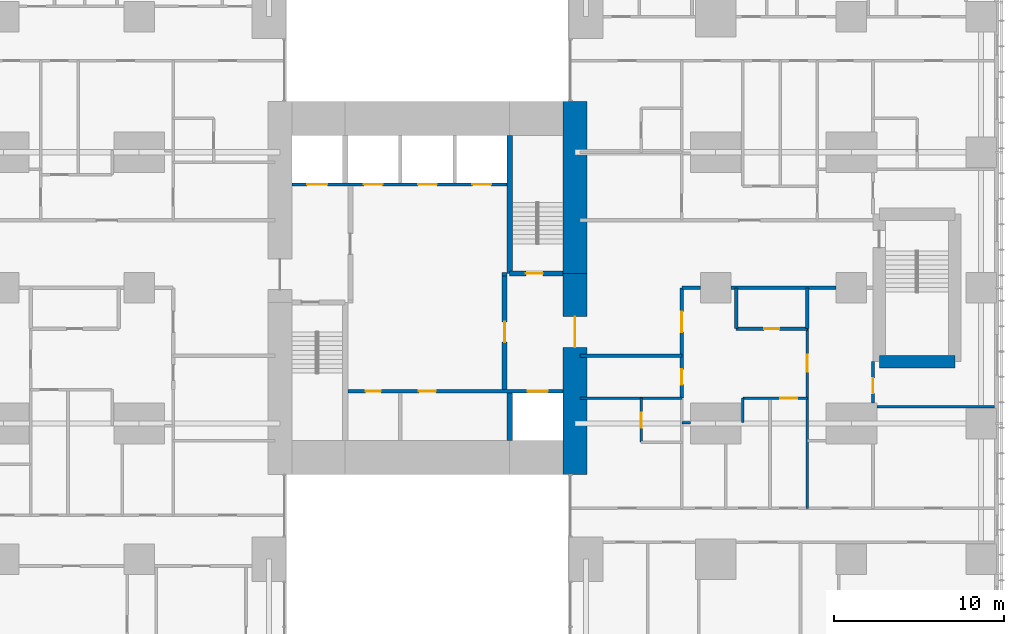
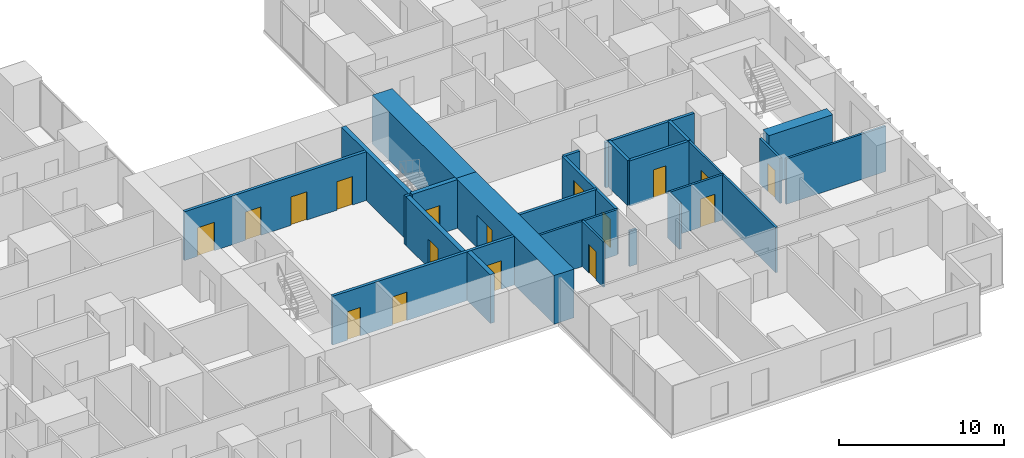
# One storey, part 15 of 20: 25 walls, 17 doors, 17 openings.
"""IFC4 building model written with IfcOpenShell, lengths in metres."""

from ifc_helpers import new_model, si_unit, direction, frame, frame_2d, origin, place, context, subcontext, project, spatial, rectangle, extrude, material, layer, layer_set, type_object, element, fill, save


model = new_model("IFC4")

# Units and contexts
model_context = context("Model", 3, precision=1e-05, world=origin(), true_north=direction((0.0, 1.0)))
body_context = subcontext(model_context, "Body", "Model", "MODEL_VIEW")
ifc_project = project(units=[si_unit("LENGTHUNIT", "METRE"), si_unit("AREAUNIT", "SQUARE_METRE"), si_unit("VOLUMEUNIT", "CUBIC_METRE"), si_unit("PLANEANGLEUNIT", "RADIAN"), si_unit("MASSUNIT", "GRAM", prefix="KILO")], contexts=[model_context])

# Site, building, storey
site_placement = place(None, origin())
site = spatial("IfcSite", under=ifc_project, at=site_placement, CompositionType="ELEMENT")
building_placement = place(site_placement, origin())
building = spatial("IfcBuilding", under=site, at=building_placement, Name="Cleftline Residences", CompositionType="ELEMENT")
storey_placement = place(building_placement, frame((0.0, 0.0, 214.60009765625)))
storey = spatial("IfcBuildingStorey", under=building, at=storey_placement, Name="L56", CompositionType="ELEMENT", Elevation=214.60009765625)

# Wall, opening, door
ifc_material_1 = material(Name="Concrete B70", Category="concrete")
ifc_layer_1 = layer(ifc_material_1, 1.39990234375)
ifc_layer_set_1 = layer_set([ifc_layer_1], Name="CORE WALL 1400")
wall_type_1 = type_object("IfcWallType", Name="CORE WALL 1400", PredefinedType="SHEAR", material=ifc_layer_set_1)
wall_1_placement = place(storey_placement, frame((41.699951171875, 13.0, 0.0), z_axis=(0.0, 0.0, 1.0), x_axis=(0.0, 1.0, 0.0)))
wall_1 = element("IfcWall", 1, at=wall_1_placement, inside=storey, type_object=wall_type_1, Name="Core wall E", PredefinedType="SHEAR", context=body_context, shape_type="SweptSolid", body=[
    extrude(rectangle(XDim=11.85009765625, YDim=1.39990234375, at=frame_2d((5.925048828125, 0.0))), origin(), (0.0, 0.0, 1.0), 3.599853515625),
])
opening_1_placement = place(wall_1_placement, frame((7.5, 0.0, 0.0)))
opening_1 = element("IfcOpeningElement", 2, at=opening_1_placement, cuts=wall_1, Name="Opening D7", PredefinedType="OPENING", context=body_context, shape_type="SweptSolid", body=[
    extrude(rectangle(XDim=1.800048828125, YDim=2.39990234375, at=frame_2d((0.89990234375, 1.199951171875))), frame((0.0, 0.7099609375, 0.0), z_axis=(0.0, -1.0, 0.0), x_axis=(1.0, 0.0, 0.0)), (0.0, 0.0, 1.0), 1.419921875),
])
ifc_material_2 = material(Name="Steel", Category="steel")
door_type_1 = type_object("IfcDoorType", Name="WING DOOR 1800X2400", OperationType="DOUBLE_DOOR_DOUBLE_SWING", PredefinedType="DOOR", material=ifc_material_2)
door_1_placement = place(opening_1_placement, origin())
door_1 = element("IfcDoor", 3, at=door_1_placement, inside=storey, type_object=door_type_1, Name="East wing door", OperationType="DOUBLE_DOOR_DOUBLE_SWING", OverallHeight=2.39990234375, OverallWidth=1.800048828125, PredefinedType="DOOR", context=body_context, shape_type="SweptSolid", body=[
    extrude(rectangle(XDim=1.800048828125, YDim=2.39990234375, at=frame_2d((0.89990234375, 1.199951171875))), frame((0.0, 0.02490234375, 0.0), z_axis=(0.0, -1.0, 0.0), x_axis=(1.0, 0.0, 0.0)), (0.0, 0.0, 1.0), 0.050048828125),
])
fill(opening_1, door_1)

# Walls
wall_2_placement = place(storey_placement, frame((41.699951171875, 24.85009765625, 0.0), z_axis=(0.0, 0.0, 1.0), x_axis=(0.0, 1.0, 0.0)))
element("IfcWall", 4, at=wall_2_placement, inside=storey, type_object=wall_type_1, Name="Core wall E1", PredefinedType="SHEAR", context=body_context, shape_type="SweptSolid", body=[
    extrude(rectangle(XDim=10.14990234375, YDim=1.39990234375, at=frame_2d((5.074951171875, 0.0))), origin(), (0.0, 0.0, 1.0), 3.599853515625),
])
ifc_material_3 = material(Name="Concrete B70", Category="concrete")
ifc_layer_2 = layer(ifc_material_3, 0.300048828125)
ifc_layer_set_2 = layer_set([ifc_layer_2], Name="CORE WALL 300")
wall_type_2 = type_object("IfcWallType", Name="CORE WALL 300", PredefinedType="SHEAR", material=ifc_layer_set_2)
wall_3_placement = place(storey_placement, frame((37.85009765625, 24.85009765625, 0.0), z_axis=(0.0, 0.0, 1.0), x_axis=(0.0, 1.0, 0.0)))
element("IfcWall", 5, at=wall_3_placement, inside=storey, type_object=wall_type_2, Name="Core wall SB-W", PredefinedType="SHEAR", context=body_context, shape_type="SweptSolid", body=[
    extrude(rectangle(XDim=8.14990234375, YDim=0.300048828125, at=frame_2d((4.074951171875, 0.0))), origin(), (0.0, 0.0, 1.0), 3.599853515625),
])

# Wall, opening, door
wall_4_placement = place(storey_placement, frame((37.85009765625, 24.85009765625, 0.0), z_axis=(0.0, 0.0, 1.0), x_axis=(1.0, 0.0, 0.0)))
wall_4 = element("IfcWall", 6, at=wall_4_placement, inside=storey, type_object=wall_type_2, Name="Core wall SB-S", PredefinedType="SHEAR", context=body_context, shape_type="SweptSolid", body=[
    extrude(rectangle(XDim=3.14990234375, YDim=0.300048828125, at=frame_2d((1.574951171875, 0.0))), origin(), (0.0, 0.0, 1.0), 3.599853515625),
])
opening_2_placement = place(wall_4_placement, frame((0.949951171875, 0.0, 0.0)))
opening_2 = element("IfcOpeningElement", 7, at=opening_2_placement, cuts=wall_4, Name="Opening D5", PredefinedType="OPENING", context=body_context, shape_type="SweptSolid", body=[
    extrude(rectangle(XDim=1.0, YDim=2.10009765625, at=frame_2d((0.5, 1.050048828125))), frame((0.0, 0.159912109375, 0.0), z_axis=(0.0, -1.0, 0.0), x_axis=(1.0, 0.0, 0.0)), (0.0, 0.0, 1.0), 0.320068359375),
])
ifc_material_4 = material(Name="Steel", Category="steel")
door_type_2 = type_object("IfcDoorType", Name="STAIR DOOR 1000X2100", OperationType="SINGLE_SWING_LEFT", PredefinedType="DOOR", material=ifc_material_4)
door_2_placement = place(opening_2_placement, origin())
door_2 = element("IfcDoor", 8, at=door_2_placement, inside=storey, type_object=door_type_2, Name="Stair B door", OperationType="SINGLE_SWING_RIGHT", OverallHeight=2.10009765625, OverallWidth=1.0, PredefinedType="DOOR", context=body_context, shape_type="SweptSolid", body=[
    extrude(rectangle(XDim=1.0, YDim=2.10009765625, at=frame_2d((0.5, 1.050048828125))), frame((0.0, 0.02490234375, 0.0), z_axis=(0.0, -1.0, 0.0), x_axis=(1.0, 0.0, 0.0)), (0.0, 0.0, 1.0), 0.050048828125),
])
fill(opening_2, door_2)

# Walls
wall_5_placement = place(storey_placement, frame((37.85009765625, 15.0, 0.0), z_axis=(0.0, 0.0, 1.0), x_axis=(0.0, 1.0, 0.0)))
element("IfcWall", 9, at=wall_5_placement, inside=storey, type_object=wall_type_2, Name="Lift shaft wall", PredefinedType="SHEAR", context=body_context, shape_type="SweptSolid", body=[
    extrude(rectangle(XDim=2.800048828125, YDim=0.300048828125, at=frame_2d((1.39990234375, 0.0))), origin(), (0.0, 0.0, 1.0), 3.599853515625),
])
ifc_material_5 = material(Name="Concrete blockwork, fire rated", Category="masonry")
ifc_layer_3 = layer(ifc_material_5, 0.199951171875)
ifc_layer_set_3 = layer_set([ifc_layer_3], Name="FIRE WALL 200")
wall_type_3 = type_object("IfcWallType", Name="FIRE WALL 200", PredefinedType="PARTITIONING", material=ifc_layer_set_3)
wall_6_placement = place(storey_placement, frame((42.0, 20.0, 0.0), z_axis=(0.0, 0.0, 1.0), x_axis=(1.0, 0.0, 0.0)))
element("IfcWall", 10, at=wall_6_placement, inside=storey, type_object=wall_type_3, Name="Fire separating wall", PredefinedType="PARTITIONING", context=body_context, shape_type="SweptSolid", body=[
    extrude(rectangle(XDim=6.0, YDim=0.199951171875, at=frame_2d((3.0, 0.0))), origin(), (0.0, 0.0, 1.0), 3.349853515625),
])

# Wall, opening, door
wall_7_placement = place(storey_placement, frame((51.199951171875, 21.60009765625, 0.0), z_axis=(0.0, 0.0, 1.0), x_axis=(1.0, 0.0, 0.0)))
wall_7 = element("IfcWall", 11, at=wall_7_placement, inside=storey, type_object=wall_type_3, Name="Fire separating wall", PredefinedType="PARTITIONING", context=body_context, shape_type="SweptSolid", body=[
    extrude(rectangle(XDim=4.199951171875, YDim=0.199951171875, at=frame_2d((2.10009765625, 0.0))), origin(), (0.0, 0.0, 1.0), 3.349853515625),
])
opening_3_placement = place(wall_7_placement, frame((1.64990234375, 0.0, 0.0)))
opening_3 = element("IfcOpeningElement", 12, at=opening_3_placement, cuts=wall_7, Name="Opening D1F30", PredefinedType="OPENING", context=body_context, shape_type="SweptSolid", body=[
    extrude(rectangle(XDim=0.89990234375, YDim=2.10009765625, at=frame_2d((0.449951171875, 1.050048828125))), frame((0.0, 0.10986328125, 0.0), z_axis=(0.0, -1.0, 0.0), x_axis=(1.0, 0.0, 0.0)), (0.0, 0.0, 1.0), 0.219970703125),
])
ifc_material_6 = material(Name="Timber veneer on solid core", Category="wood")
door_type_3 = type_object("IfcDoorType", Name="DOOR 900X2100 EI 30", OperationType="SINGLE_SWING_LEFT", PredefinedType="DOOR", material=ifc_material_6)
door_3_placement = place(opening_3_placement, origin())
door_3 = element("IfcDoor", 13, at=door_3_placement, inside=storey, type_object=door_type_3, Name="Door to cloakroom wc", OperationType="SINGLE_SWING_LEFT", OverallHeight=2.10009765625, OverallWidth=0.89990234375, PredefinedType="DOOR", context=body_context, shape_type="SweptSolid", body=[
    extrude(rectangle(XDim=0.89990234375, YDim=2.10009765625, at=frame_2d((0.449951171875, 1.050048828125))), frame((0.0, 0.02490234375, 0.0), z_axis=(0.0, -1.0, 0.0), x_axis=(1.0, 0.0, 0.0)), (0.0, 0.0, 1.0), 0.050048828125),
])
fill(opening_3, door_3)

# Walls
wall_8_placement = place(storey_placement, frame((48.0, 24.0, 0.0), z_axis=(0.0, 0.0, 1.0), x_axis=(1.0, 0.0, 0.0)))
element("IfcWall", 14, at=wall_8_placement, inside=storey, type_object=wall_type_3, Name="Fire separating wall", PredefinedType="PARTITIONING", context=body_context, shape_type="SweptSolid", body=[
    extrude(rectangle(XDim=1.10009765625, YDim=0.199951171875, at=frame_2d((0.550048828125, 0.0))), origin(), (0.0, 0.0, 1.0), 3.349853515625),
])
wall_9_placement = place(storey_placement, frame((50.89990234375, 24.0, 0.0), z_axis=(0.0, 0.0, 1.0), x_axis=(1.0, 0.0, 0.0)))
element("IfcWall", 15, at=wall_9_placement, inside=storey, type_object=wall_type_3, Name="Fire separating wall", PredefinedType="PARTITIONING", context=body_context, shape_type="SweptSolid", body=[
    extrude(rectangle(XDim=6.2001953125, YDim=0.199951171875, at=frame_2d((3.10009765625, 0.0))), origin(), (0.0, 0.0, 1.0), 3.349853515625),
])

# Wall, openings, doors
wall_10_placement = place(storey_placement, frame((48.0, 17.5, 0.0), z_axis=(0.0, 0.0, 1.0), x_axis=(0.0, 1.0, 0.0)))
wall_10 = element("IfcWall", 16, at=wall_10_placement, inside=storey, type_object=wall_type_3, Name="Fire separating wall", PredefinedType="PARTITIONING", context=body_context, shape_type="SweptSolid", body=[
    extrude(rectangle(XDim=6.5, YDim=0.199951171875, at=frame_2d((3.25, 0.0))), origin(), (0.0, 0.0, 1.0), 3.349853515625),
])
opening_4_placement = place(wall_10_placement, frame((3.89990234375, 0.0, 0.0)))
opening_4 = element("IfcOpeningElement", 17, at=opening_4_placement, cuts=wall_10, Name="Opening D4", PredefinedType="OPENING", context=body_context, shape_type="SweptSolid", body=[
    extrude(rectangle(XDim=1.199951171875, YDim=2.39990234375, at=frame_2d((0.60009765625, 1.199951171875))), frame((0.0, 0.10986328125, 0.0), z_axis=(0.0, -1.0, 0.0), x_axis=(1.0, 0.0, 0.0)), (0.0, 0.0, 1.0), 0.219970703125),
])
opening_5_placement = place(wall_10_placement, frame((0.800048828125, 0.0, 0.0)))
opening_5 = element("IfcOpeningElement", 18, at=opening_5_placement, cuts=wall_10, Name="Opening D1F30", PredefinedType="OPENING", context=body_context, shape_type="SweptSolid", body=[
    extrude(rectangle(XDim=0.89990234375, YDim=2.10009765625, at=frame_2d((0.449951171875, 1.050048828125))), frame((0.0, 0.10986328125, 0.0), z_axis=(0.0, -1.0, 0.0), x_axis=(1.0, 0.0, 0.0)), (0.0, 0.0, 1.0), 0.219970703125),
])
ifc_material_7 = material(Name="Timber veneer on solid core", Category="wood")
door_type_4 = type_object("IfcDoorType", Name="APARTMENT ENTRANCE DOOR 1200X2400", OperationType="SINGLE_SWING_RIGHT", PredefinedType="DOOR", material=ifc_material_7)
door_4_placement = place(opening_4_placement, origin())
door_4 = element("IfcDoor", 19, at=door_4_placement, inside=storey, type_object=door_type_4, Name="Door to residence entrance foyer", OperationType="SINGLE_SWING_LEFT", OverallHeight=2.39990234375, OverallWidth=1.199951171875, PredefinedType="DOOR", context=body_context, shape_type="SweptSolid", body=[
    extrude(rectangle(XDim=1.199951171875, YDim=2.39990234375, at=frame_2d((0.60009765625, 1.199951171875))), frame((0.0, 0.02490234375, 0.0), z_axis=(0.0, -1.0, 0.0), x_axis=(1.0, 0.0, 0.0)), (0.0, 0.0, 1.0), 0.050048828125),
])
fill(opening_4, door_4)
door_5_placement = place(opening_5_placement, origin())
door_5 = element("IfcDoor", 20, at=door_5_placement, inside=storey, type_object=door_type_3, Name="Door to utility room", OperationType="SINGLE_SWING_RIGHT", OverallHeight=2.10009765625, OverallWidth=0.89990234375, PredefinedType="DOOR", context=body_context, shape_type="SweptSolid", body=[
    extrude(rectangle(XDim=0.89990234375, YDim=2.10009765625, at=frame_2d((0.449951171875, 1.050048828125))), frame((0.0, 0.02490234375, 0.0), z_axis=(0.0, -1.0, 0.0), x_axis=(1.0, 0.0, 0.0)), (0.0, 0.0, 1.0), 0.050048828125),
])
fill(opening_5, door_5)

# Walls
for number, where, z_axis, x_axis, name in (
    (21, (51.199951171875, 21.60009765625, 0.0), (0.0, 0.0, 1.0), (0.0, 1.0, 0.0), "Fire separating wall"),
    (22, (55.39990234375, 21.60009765625, 0.0), (0.0, 0.0, 1.0), (0.0, 1.0, 0.0), "Fire separating wall"),
):
    element("IfcWall", number, at=place(storey_placement, frame(where, z_axis=z_axis, x_axis=x_axis)), inside=storey, type_object=wall_type_3, Name=name, PredefinedType="PARTITIONING", context=body_context, shape_type="SweptSolid", body=[
        extrude(rectangle(XDim=2.39990234375, YDim=0.199951171875, at=frame_2d((1.199951171875, 0.0))), origin(), (0.0, 0.0, 1.0), 3.349853515625),
    ])
wall_11_placement = place(storey_placement, frame((37.39990234375, 24.800048828125, 0.0), z_axis=(0.0, 0.0, 1.0), x_axis=(1.0, 0.0, 0.0)))
element("IfcWall", 23, at=wall_11_placement, inside=storey, type_object=wall_type_3, Name="Fire separating wall", PredefinedType="PARTITIONING", context=body_context, shape_type="SweptSolid", body=[
    extrude(rectangle(XDim=0.300048828125, YDim=0.199951171875, at=frame_2d((0.14990234375, 0.0))), origin(), (0.0, 0.0, 1.0), 3.599853515625),
])
ifc_material_8 = material(Name="Gypsum board on steel studs", Category="steel")
ifc_layer_4 = layer(ifc_material_8, 0.14990234375)
ifc_layer_set_4 = layer_set([ifc_layer_4], Name="PARTITION 150")
wall_type_4 = type_object("IfcWallType", Name="PARTITION 150", PredefinedType="PARTITIONING", material=ifc_layer_set_4)
wall_12_placement = place(storey_placement, frame((48.0, 16.050048828125, 0.0), z_axis=(0.0, 0.0, 1.0), x_axis=(1.0, 0.0, 0.0)))
element("IfcWall", 24, at=wall_12_placement, inside=storey, type_object=wall_type_4, Name="Partition", PredefinedType="PARTITIONING", context=body_context, shape_type="SweptSolid", body=[
    extrude(rectangle(XDim=0.5, YDim=0.14990234375, at=frame_2d((0.25, 0.0))), origin(), (0.0, 0.0, 1.0), 2.6337890625),
])
wall_13_placement = place(storey_placement, frame((59.5, 17.0, 0.0), z_axis=(0.0, 0.0, 1.0), x_axis=(1.0, 0.0, 0.0)))
element("IfcWall", 25, at=wall_13_placement, inside=storey, type_object=wall_type_4, Name="Partition", PredefinedType="PARTITIONING", context=body_context, shape_type="SweptSolid", body=[
    extrude(rectangle(XDim=6.949951171875, YDim=0.14990234375, at=frame_2d((3.47509765625, 0.0))), origin(), (0.0, 0.0, 1.0), 3.349853515625),
])
wall_14_placement = place(storey_placement, frame((42.0, 17.5, 0.0), z_axis=(0.0, 0.0, 1.0), x_axis=(1.0, 0.0, 0.0)))
element("IfcWall", 26, at=wall_14_placement, inside=storey, type_object=wall_type_4, Name="Partition", PredefinedType="PARTITIONING", context=body_context, shape_type="SweptSolid", body=[
    extrude(rectangle(XDim=6.0, YDim=0.14990234375, at=frame_2d((3.0, 0.0))), origin(), (0.0, 0.0, 1.0), 3.349853515625),
])

# Wall, opening, door
wall_15_placement = place(storey_placement, frame((51.60009765625, 17.5, 0.0), z_axis=(0.0, 0.0, 1.0), x_axis=(1.0, 0.0, 0.0)))
wall_15 = element("IfcWall", 27, at=wall_15_placement, inside=storey, type_object=wall_type_4, Name="Partition", PredefinedType="PARTITIONING", context=body_context, shape_type="SweptSolid", body=[
    extrude(rectangle(XDim=3.7998046875, YDim=0.14990234375, at=frame_2d((1.89990234375, 0.0))), origin(), (0.0, 0.0, 1.0), 3.349853515625),
])
opening_6_placement = place(wall_15_placement, frame((2.199951171875, 0.0, 0.0)))
opening_6 = element("IfcOpeningElement", 28, at=opening_6_placement, cuts=wall_15, Name="Opening D2", PredefinedType="OPENING", context=body_context, shape_type="SweptSolid", body=[
    extrude(rectangle(XDim=1.0, YDim=2.10009765625, at=frame_2d((0.5, 1.050048828125))), frame((0.0, 0.0849609375, 0.0), z_axis=(0.0, -1.0, 0.0), x_axis=(1.0, 0.0, 0.0)), (0.0, 0.0, 1.0), 0.169921875),
])
ifc_material_9 = material(Name="Timber veneer on solid core", Category="wood")
door_type_5 = type_object("IfcDoorType", Name="DOOR 1000X2100", OperationType="SINGLE_SWING_LEFT", PredefinedType="DOOR", material=ifc_material_9)
door_6_placement = place(opening_6_placement, origin())
door_6 = element("IfcDoor", 29, at=door_6_placement, inside=storey, type_object=door_type_5, Name="Door to residence passage", OperationType="SINGLE_SWING_LEFT", OverallHeight=2.10009765625, OverallWidth=1.0, PredefinedType="DOOR", context=body_context, shape_type="SweptSolid", body=[
    extrude(rectangle(XDim=1.0, YDim=2.10009765625, at=frame_2d((0.5, 1.050048828125))), frame((0.0, 0.02490234375, 0.0), z_axis=(0.0, -1.0, 0.0), x_axis=(1.0, 0.0, 0.0)), (0.0, 0.0, 1.0), 0.050048828125),
])
fill(opening_6, door_6)

wall_16_placement = place(storey_placement, frame((45.60009765625, 14.89990234375, 0.0), z_axis=(0.0, 0.0, 1.0), x_axis=(0.0, 1.0, 0.0)))
wall_16 = element("IfcWall", 30, at=wall_16_placement, inside=storey, type_object=wall_type_4, Name="Partition", PredefinedType="PARTITIONING", context=body_context, shape_type="SweptSolid", body=[
    extrude(rectangle(XDim=2.60009765625, YDim=0.14990234375, at=frame_2d((1.300048828125, 0.0))), origin(), (0.0, 0.0, 1.0), 3.349853515625),
])
opening_7_placement = place(wall_16_placement, frame((0.85009765625, 0.0, 0.0)))
opening_7 = element("IfcOpeningElement", 31, at=opening_7_placement, cuts=wall_16, Name="Opening D1", PredefinedType="OPENING", context=body_context, shape_type="SweptSolid", body=[
    extrude(rectangle(XDim=0.89990234375, YDim=2.10009765625, at=frame_2d((0.449951171875, 1.050048828125))), frame((0.0, 0.0849609375, 0.0), z_axis=(0.0, -1.0, 0.0), x_axis=(1.0, 0.0, 0.0)), (0.0, 0.0, 1.0), 0.169921875),
])
ifc_material_10 = material(Name="Timber veneer on solid core", Category="wood")
door_type_6 = type_object("IfcDoorType", Name="DOOR 900X2100", OperationType="SINGLE_SWING_LEFT", PredefinedType="DOOR", material=ifc_material_10)
door_7_placement = place(opening_7_placement, origin())
door_7 = element("IfcDoor", 32, at=door_7_placement, inside=storey, type_object=door_type_6, Name="Door to staff shower room", OperationType="SINGLE_SWING_LEFT", OverallHeight=2.10009765625, OverallWidth=0.89990234375, PredefinedType="DOOR", context=body_context, shape_type="SweptSolid", body=[
    extrude(rectangle(XDim=0.89990234375, YDim=2.10009765625, at=frame_2d((0.449951171875, 1.050048828125))), frame((0.0, 0.02490234375, 0.0), z_axis=(0.0, -1.0, 0.0), x_axis=(1.0, 0.0, 0.0)), (0.0, 0.0, 1.0), 0.050048828125),
])
fill(opening_7, door_7)

# Wall
wall_17_placement = place(storey_placement, frame((51.60009765625, 16.050048828125, 0.0), z_axis=(0.0, 0.0, 1.0), x_axis=(0.0, 1.0, 0.0)))
element("IfcWall", 33, at=wall_17_placement, inside=storey, type_object=wall_type_4, Name="Partition", PredefinedType="PARTITIONING", context=body_context, shape_type="SweptSolid", body=[
    extrude(rectangle(XDim=1.449951171875, YDim=0.14990234375, at=frame_2d((0.72509765625, 0.0))), origin(), (0.0, 0.0, 1.0), 3.349853515625),
])

# Wall, opening, door
wall_18_placement = place(storey_placement, frame((55.39990234375, 11.0, 0.0), z_axis=(0.0, 0.0, 1.0), x_axis=(0.0, 1.0, 0.0)))
wall_18 = element("IfcWall", 34, at=wall_18_placement, inside=storey, type_object=wall_type_4, Name="Partition", PredefinedType="PARTITIONING", context=body_context, shape_type="SweptSolid", body=[
    extrude(rectangle(XDim=10.60009765625, YDim=0.14990234375, at=frame_2d((5.300048828125, 0.0))), origin(), (0.0, 0.0, 1.0), 3.349853515625),
])
opening_8_placement = place(wall_18_placement, frame((8.050048828125, 0.0, 0.0)))
opening_8 = element("IfcOpeningElement", 35, at=opening_8_placement, cuts=wall_18, Name="Opening D2F30", PredefinedType="OPENING", context=body_context, shape_type="SweptSolid", body=[
    extrude(rectangle(XDim=1.0, YDim=2.10009765625, at=frame_2d((0.5, 1.050048828125))), frame((0.0, 0.0849609375, 0.0), z_axis=(0.0, -1.0, 0.0), x_axis=(1.0, 0.0, 0.0)), (0.0, 0.0, 1.0), 0.169921875),
])
ifc_material_11 = material(Name="Timber veneer on solid core", Category="wood")
door_type_7 = type_object("IfcDoorType", Name="DOOR 1000X2100 EI 30", OperationType="SINGLE_SWING_LEFT", PredefinedType="DOOR", material=ifc_material_11)
door_8_placement = place(opening_8_placement, origin())
door_8 = element("IfcDoor", 36, at=door_8_placement, inside=storey, type_object=door_type_7, Name="Door to residence lobby", OperationType="SINGLE_SWING_LEFT", OverallHeight=2.10009765625, OverallWidth=1.0, PredefinedType="DOOR", context=body_context, shape_type="SweptSolid", body=[
    extrude(rectangle(XDim=1.0, YDim=2.10009765625, at=frame_2d((0.5, 1.050048828125))), frame((0.0, 0.02490234375, 0.0), z_axis=(0.0, -1.0, 0.0), x_axis=(1.0, 0.0, 0.0)), (0.0, 0.0, 1.0), 0.050048828125),
])
fill(opening_8, door_8)

wall_19_placement = place(storey_placement, frame((59.27490234375, 17.199951171875, 0.0), z_axis=(0.0, 0.0, 1.0), x_axis=(0.0, 1.0, 0.0)))
wall_19 = element("IfcWall", 37, at=wall_19_placement, inside=storey, type_object=wall_type_4, Name="Partition", PredefinedType="PARTITIONING", context=body_context, shape_type="SweptSolid", body=[
    extrude(rectangle(XDim=2.449951171875, YDim=0.14990234375, at=frame_2d((1.22509765625, 0.0))), origin(), (0.0, 0.0, 1.0), 3.349853515625),
])
opening_9_placement = place(wall_19_placement, frame((0.58740234375, 0.0, 0.0)))
opening_9 = element("IfcOpeningElement", 38, at=opening_9_placement, cuts=wall_19, Name="Opening D1", PredefinedType="OPENING", context=body_context, shape_type="SweptSolid", body=[
    extrude(rectangle(XDim=0.89990234375, YDim=2.10009765625, at=frame_2d((0.449951171875, 1.050048828125))), frame((0.0, 0.0849609375, 0.0), z_axis=(0.0, -1.0, 0.0), x_axis=(1.0, 0.0, 0.0)), (0.0, 0.0, 1.0), 0.169921875),
])
door_9_placement = place(opening_9_placement, origin())
door_9 = element("IfcDoor", 39, at=door_9_placement, inside=storey, type_object=door_type_6, Name="Door to drying loggia", OperationType="SINGLE_SWING_RIGHT", OverallHeight=2.10009765625, OverallWidth=0.89990234375, PredefinedType="DOOR", context=body_context, shape_type="SweptSolid", body=[
    extrude(rectangle(XDim=0.89990234375, YDim=2.10009765625, at=frame_2d((0.449951171875, 1.050048828125))), frame((0.0, 0.02490234375, 0.0), z_axis=(0.0, -1.0, 0.0), x_axis=(1.0, 0.0, 0.0)), (0.0, 0.0, 1.0), 0.050048828125),
])
fill(opening_9, door_9)

# Wall, openings, doors
ifc_material_12 = material(Name="Concrete blockwork, fire rated", Category="masonry")
ifc_layer_5 = layer(ifc_material_12, 0.199951171875)
ifc_layer_set_5 = layer_set([ifc_layer_5], Name="SHAFT WALL 200")
wall_type_5 = type_object("IfcWallType", Name="SHAFT WALL 200", PredefinedType="PARTITIONING", material=ifc_layer_set_5)
wall_20_placement = place(storey_placement, frame((28.300048828125, 17.89990234375, 0.0), z_axis=(0.0, 0.0, 1.0), x_axis=(1.0, 0.0, 0.0)))
wall_20 = element("IfcWall", 40, at=wall_20_placement, inside=storey, type_object=wall_type_5, Name="Core room wall", PredefinedType="PARTITIONING", context=body_context, shape_type="SweptSolid", body=[
    extrude(rectangle(XDim=12.699951171875, YDim=0.199951171875, at=frame_2d((6.35009765625, 0.0))), origin(), (0.0, 0.0, 1.0), 3.599853515625),
])
opening_10_placement = place(wall_20_placement, frame((1.050048828125, 0.0, 0.0)))
opening_10 = element("IfcOpeningElement", 41, at=opening_10_placement, cuts=wall_20, Name="Opening D1F30", PredefinedType="OPENING", context=body_context, shape_type="SweptSolid", body=[
    extrude(rectangle(XDim=0.89990234375, YDim=2.10009765625, at=frame_2d((0.449951171875, 1.050048828125))), frame((0.0, 0.10986328125, 0.0), z_axis=(0.0, -1.0, 0.0), x_axis=(1.0, 0.0, 0.0)), (0.0, 0.0, 1.0), 0.219970703125),
])
opening_11_placement = place(wall_20_placement, frame((4.199951171875, 0.0, 0.0)))
opening_11 = element("IfcOpeningElement", 42, at=opening_11_placement, cuts=wall_20, Name="Opening D2F60", PredefinedType="OPENING", context=body_context, shape_type="SweptSolid", body=[
    extrude(rectangle(XDim=1.0, YDim=2.10009765625, at=frame_2d((0.5, 1.050048828125))), frame((0.0, 0.10986328125, 0.0), z_axis=(0.0, -1.0, 0.0), x_axis=(1.0, 0.0, 0.0)), (0.0, 0.0, 1.0), 0.219970703125),
])
opening_12_placement = place(wall_20_placement, frame((10.60009765625, 0.0, 0.0)))
opening_12 = element("IfcOpeningElement", 43, at=opening_12_placement, cuts=wall_20, Name="Opening LD2", PredefinedType="OPENING", context=body_context, shape_type="SweptSolid", body=[
    extrude(rectangle(XDim=1.199951171875, YDim=2.10009765625, at=frame_2d((0.60009765625, 1.050048828125))), frame((0.0, 0.10986328125, 0.0), z_axis=(0.0, -1.0, 0.0), x_axis=(1.0, 0.0, 0.0)), (0.0, 0.0, 1.0), 0.219970703125),
])
ifc_material_13 = material(Name="Timber veneer on solid core", Category="wood")
door_type_8 = type_object("IfcDoorType", Name="DOOR 1000X2100 EI 60", OperationType="SINGLE_SWING_LEFT", PredefinedType="DOOR", material=ifc_material_13)
door_10_placement = place(opening_11_placement, origin())
door_10 = element("IfcDoor", 44, at=door_10_placement, inside=storey, type_object=door_type_8, Name="Door to electrical room", OperationType="SINGLE_SWING_RIGHT", OverallHeight=2.10009765625, OverallWidth=1.0, PredefinedType="DOOR", context=body_context, shape_type="SweptSolid", body=[
    extrude(rectangle(XDim=1.0, YDim=2.10009765625, at=frame_2d((0.5, 1.050048828125))), frame((0.0, 0.02490234375, 0.0), z_axis=(0.0, -1.0, 0.0), x_axis=(1.0, 0.0, 0.0)), (0.0, 0.0, 1.0), 0.050048828125),
])
fill(opening_11, door_10)
door_11_placement = place(opening_10_placement, origin())
door_11 = element("IfcDoor", 45, at=door_11_placement, inside=storey, type_object=door_type_3, Name="Door to cleaner's store", OperationType="SINGLE_SWING_RIGHT", OverallHeight=2.10009765625, OverallWidth=0.89990234375, PredefinedType="DOOR", context=body_context, shape_type="SweptSolid", body=[
    extrude(rectangle(XDim=0.89990234375, YDim=2.10009765625, at=frame_2d((0.449951171875, 1.050048828125))), frame((0.0, 0.02490234375, 0.0), z_axis=(0.0, -1.0, 0.0), x_axis=(1.0, 0.0, 0.0)), (0.0, 0.0, 1.0), 0.050048828125),
])
fill(opening_10, door_11)
ifc_material_14 = material(Name="Steel", Category="steel")
door_type_9 = type_object("IfcDoorType", Name="FIREFIGHTING LIFT LANDING DOOR 1200X2100", OperationType="SLIDING_TO_LEFT", PredefinedType="DOOR", material=ifc_material_14)
door_12_placement = place(opening_12_placement, origin())
door_12 = element("IfcDoor", 46, at=door_12_placement, inside=storey, type_object=door_type_9, Name="Lift FL2 landing door", OperationType="SLIDING_TO_LEFT", OverallHeight=2.10009765625, OverallWidth=1.199951171875, PredefinedType="DOOR", context=body_context, shape_type="SweptSolid", body=[
    extrude(rectangle(XDim=1.199951171875, YDim=2.10009765625, at=frame_2d((0.60009765625, 1.050048828125))), frame((0.0, 0.02490234375, 0.0), z_axis=(0.0, -1.0, 0.0), x_axis=(1.0, 0.0, 0.0)), (0.0, 0.0, 1.0), 0.050048828125),
])
fill(opening_12, door_12)

wall_21_placement = place(storey_placement, frame((25.0, 30.10009765625, 0.0), z_axis=(0.0, 0.0, 1.0), x_axis=(1.0, 0.0, 0.0)))
wall_21 = element("IfcWall", 47, at=wall_21_placement, inside=storey, type_object=wall_type_5, Name="Lift shaft wall", PredefinedType="PARTITIONING", context=body_context, shape_type="SweptSolid", body=[
    extrude(rectangle(XDim=12.699951171875, YDim=0.199951171875, at=frame_2d((6.35009765625, 0.0))), origin(), (0.0, 0.0, 1.0), 3.599853515625),
])
opening_13_placement = place(wall_21_placement, frame((4.25, 0.0, 0.0)))
opening_13 = element("IfcOpeningElement", 48, at=opening_13_placement, cuts=wall_21, Name="Opening LD1", PredefinedType="OPENING", context=body_context, shape_type="SweptSolid", body=[
    extrude(rectangle(XDim=1.10009765625, YDim=2.10009765625, at=frame_2d((0.550048828125, 1.050048828125))), frame((0.0, 0.10986328125, 0.0), z_axis=(0.0, -1.0, 0.0), x_axis=(1.0, 0.0, 0.0)), (0.0, 0.0, 1.0), 0.219970703125),
])
opening_14_placement = place(wall_21_placement, frame((7.449951171875, 0.0, 0.0)))
opening_14 = element("IfcOpeningElement", 49, at=opening_14_placement, cuts=wall_21, Name="Opening LD1", PredefinedType="OPENING", context=body_context, shape_type="SweptSolid", body=[
    extrude(rectangle(XDim=1.10009765625, YDim=2.10009765625, at=frame_2d((0.550048828125, 1.050048828125))), frame((0.0, 0.10986328125, 0.0), z_axis=(0.0, -1.0, 0.0), x_axis=(1.0, 0.0, 0.0)), (0.0, 0.0, 1.0), 0.219970703125),
])
opening_15_placement = place(wall_21_placement, frame((10.64990234375, 0.0, 0.0)))
opening_15 = element("IfcOpeningElement", 50, at=opening_15_placement, cuts=wall_21, Name="Opening LD1", PredefinedType="OPENING", context=body_context, shape_type="SweptSolid", body=[
    extrude(rectangle(XDim=1.10009765625, YDim=2.10009765625, at=frame_2d((0.550048828125, 1.050048828125))), frame((0.0, 0.10986328125, 0.0), z_axis=(0.0, -1.0, 0.0), x_axis=(1.0, 0.0, 0.0)), (0.0, 0.0, 1.0), 0.219970703125),
])
opening_16_placement = place(wall_21_placement, frame((0.89990234375, 0.0, 0.0)))
opening_16 = element("IfcOpeningElement", 51, at=opening_16_placement, cuts=wall_21, Name="Opening LD2", PredefinedType="OPENING", context=body_context, shape_type="SweptSolid", body=[
    extrude(rectangle(XDim=1.199951171875, YDim=2.10009765625, at=frame_2d((0.60009765625, 1.050048828125))), frame((0.0, 0.10986328125, 0.0), z_axis=(0.0, -1.0, 0.0), x_axis=(1.0, 0.0, 0.0)), (0.0, 0.0, 1.0), 0.219970703125),
])
door_13_placement = place(opening_16_placement, origin())
door_13 = element("IfcDoor", 52, at=door_13_placement, inside=storey, type_object=door_type_9, Name="Lift FL1 landing door", OperationType="SLIDING_TO_LEFT", OverallHeight=2.10009765625, OverallWidth=1.199951171875, PredefinedType="DOOR", context=body_context, shape_type="SweptSolid", body=[
    extrude(rectangle(XDim=1.199951171875, YDim=2.10009765625, at=frame_2d((0.60009765625, 1.050048828125))), frame((0.0, 0.02490234375, 0.0), z_axis=(0.0, -1.0, 0.0), x_axis=(1.0, 0.0, 0.0)), (0.0, 0.0, 1.0), 0.050048828125),
])
fill(opening_16, door_13)
ifc_material_15 = material(Name="Steel", Category="steel")
door_type_10 = type_object("IfcDoorType", Name="LIFT LANDING DOOR 1100X2100", OperationType="SLIDING_TO_LEFT", PredefinedType="DOOR", material=ifc_material_15)
door_14_placement = place(opening_13_placement, origin())
door_14 = element("IfcDoor", 53, at=door_14_placement, inside=storey, type_object=door_type_10, Name="Lift P4 landing door", OperationType="SLIDING_TO_LEFT", OverallHeight=2.10009765625, OverallWidth=1.10009765625, PredefinedType="DOOR", context=body_context, shape_type="SweptSolid", body=[
    extrude(rectangle(XDim=1.10009765625, YDim=2.10009765625, at=frame_2d((0.550048828125, 1.050048828125))), frame((0.0, 0.02490234375, 0.0), z_axis=(0.0, -1.0, 0.0), x_axis=(1.0, 0.0, 0.0)), (0.0, 0.0, 1.0), 0.050048828125),
])
fill(opening_13, door_14)
door_15_placement = place(opening_14_placement, origin())
door_15 = element("IfcDoor", 54, at=door_15_placement, inside=storey, type_object=door_type_10, Name="Lift P5 landing door", OperationType="SLIDING_TO_LEFT", OverallHeight=2.10009765625, OverallWidth=1.10009765625, PredefinedType="DOOR", context=body_context, shape_type="SweptSolid", body=[
    extrude(rectangle(XDim=1.10009765625, YDim=2.10009765625, at=frame_2d((0.550048828125, 1.050048828125))), frame((0.0, 0.02490234375, 0.0), z_axis=(0.0, -1.0, 0.0), x_axis=(1.0, 0.0, 0.0)), (0.0, 0.0, 1.0), 0.050048828125),
])
fill(opening_14, door_15)
door_16_placement = place(opening_15_placement, origin())
door_16 = element("IfcDoor", 55, at=door_16_placement, inside=storey, type_object=door_type_10, Name="Lift P6 landing door", OperationType="SLIDING_TO_LEFT", OverallHeight=2.10009765625, OverallWidth=1.10009765625, PredefinedType="DOOR", context=body_context, shape_type="SweptSolid", body=[
    extrude(rectangle(XDim=1.10009765625, YDim=2.10009765625, at=frame_2d((0.550048828125, 1.050048828125))), frame((0.0, 0.02490234375, 0.0), z_axis=(0.0, -1.0, 0.0), x_axis=(1.0, 0.0, 0.0)), (0.0, 0.0, 1.0), 0.050048828125),
])
fill(opening_15, door_16)

# Wall
ifc_material_16 = material(Name="Concrete B70", Category="concrete")
ifc_layer_6 = layer(ifc_material_16, 0.75)
ifc_layer_set_6 = layer_set([ifc_layer_6], Name="SHEAR WALL 750")
wall_type_6 = type_object("IfcWallType", Name="SHEAR WALL 750", PredefinedType="SHEAR", material=ifc_layer_set_6)
wall_22_placement = place(storey_placement, frame((59.64990234375, 19.64990234375, 0.0), z_axis=(0.0, 0.0, 1.0), x_axis=(1.0, 0.0, 0.0)))
element("IfcWall", 56, at=wall_22_placement, inside=storey, type_object=wall_type_6, Name="Wing shear wall", PredefinedType="SHEAR", context=body_context, shape_type="SweptSolid", body=[
    extrude(rectangle(XDim=4.4501953125, YDim=0.75, at=frame_2d((2.22509765625, 0.0))), origin(), (0.0, 0.0, 1.0), 3.599853515625),
])

# Wall, opening, door
ifc_material_17 = material(Name="Concrete blockwork, fire rated", Category="masonry")
ifc_layer_7 = layer(ifc_material_17, 0.300048828125)
ifc_layer_set_7 = layer_set([ifc_layer_7], Name="STAIR LOBBY WALL 300")
wall_type_7 = type_object("IfcWallType", Name="STAIR LOBBY WALL 300", PredefinedType="PARTITIONING", material=ifc_layer_set_7)
wall_23_placement = place(storey_placement, frame((37.550048828125, 18.0, 0.0), z_axis=(0.0, 0.0, 1.0), x_axis=(0.0, 1.0, 0.0)))
wall_23 = element("IfcWall", 57, at=wall_23_placement, inside=storey, type_object=wall_type_7, Name="Stair and lobby wall FB-W", PredefinedType="PARTITIONING", context=body_context, shape_type="SweptSolid", body=[
    extrude(rectangle(XDim=6.699951171875, YDim=0.300048828125, at=frame_2d((3.35009765625, 0.0))), origin(), (0.0, 0.0, 1.0), 3.599853515625),
])
opening_17_placement = place(wall_23_placement, frame((2.800048828125, 0.0, 0.0)))
opening_17 = element("IfcOpeningElement", 58, at=opening_17_placement, cuts=wall_23, Name="Opening D6", PredefinedType="OPENING", context=body_context, shape_type="SweptSolid", body=[
    extrude(rectangle(XDim=1.199951171875, YDim=2.10009765625, at=frame_2d((0.60009765625, 1.050048828125))), frame((0.0, 0.159912109375, 0.0), z_axis=(0.0, -1.0, 0.0), x_axis=(1.0, 0.0, 0.0)), (0.0, 0.0, 1.0), 0.320068359375),
])
ifc_material_18 = material(Name="Steel", Category="steel")
door_type_11 = type_object("IfcDoorType", Name="LOBBY DOOR 1200X2100", OperationType="SINGLE_SWING_RIGHT", PredefinedType="DOOR", material=ifc_material_18)
door_17_placement = place(opening_17_placement, origin())
door_17 = element("IfcDoor", 59, at=door_17_placement, inside=storey, type_object=door_type_11, Name="Firefighting lobby B door", OperationType="SINGLE_SWING_LEFT", OverallHeight=2.10009765625, OverallWidth=1.199951171875, PredefinedType="DOOR", context=body_context, shape_type="SweptSolid", body=[
    extrude(rectangle(XDim=1.199951171875, YDim=2.10009765625, at=frame_2d((0.60009765625, 1.050048828125))), frame((0.0, 0.02490234375, 0.0), z_axis=(0.0, -1.0, 0.0), x_axis=(1.0, 0.0, 0.0)), (0.0, 0.0, 1.0), 0.050048828125),
])
fill(opening_17, door_17)

save(model, "model.ifc")
